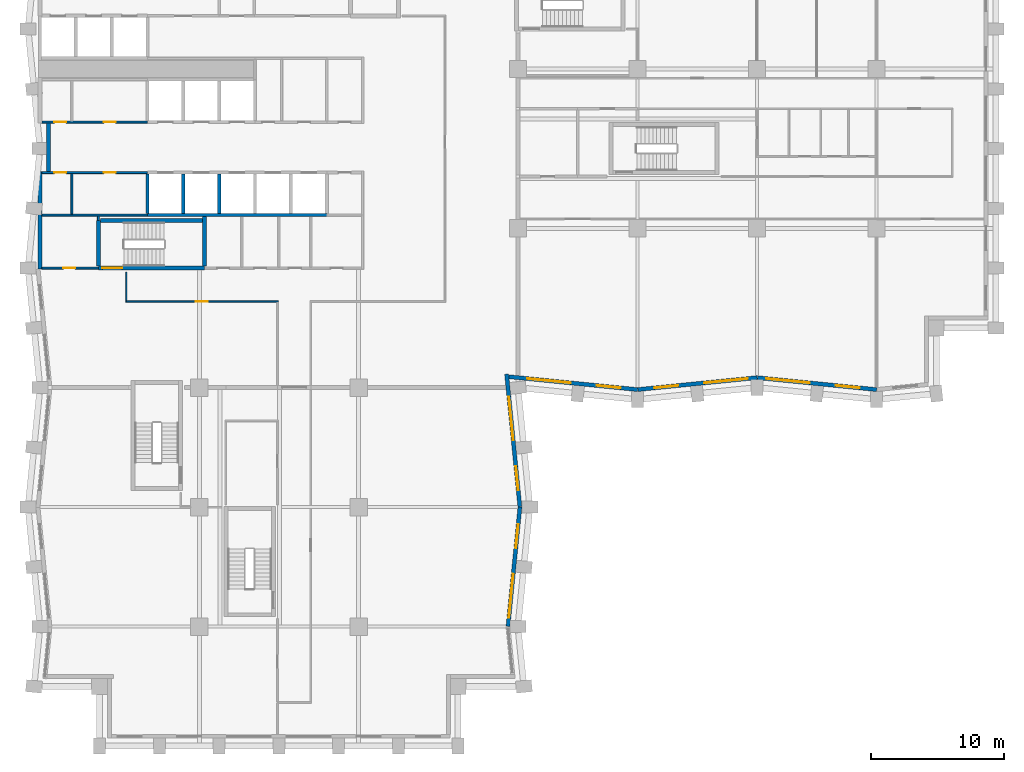
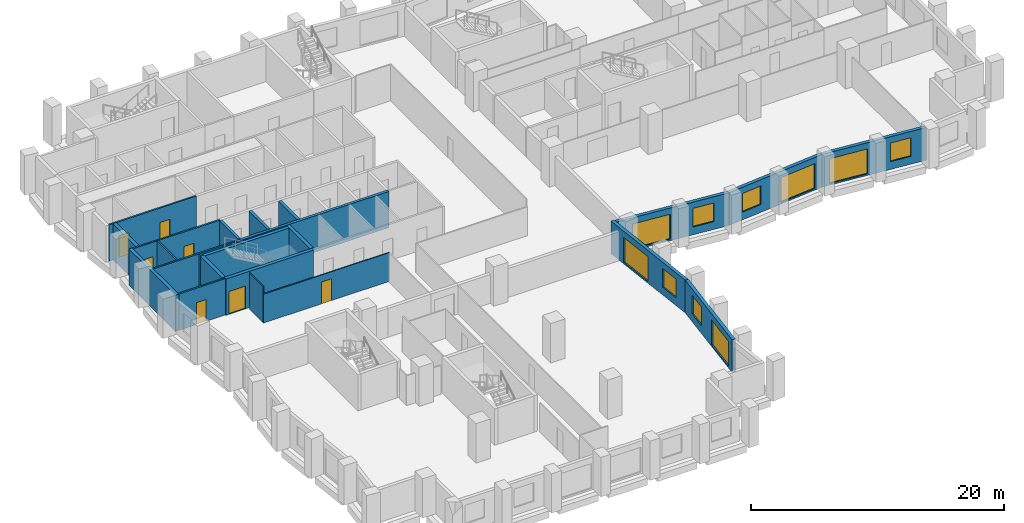
# One storey, part 4 of 11: 23 walls, 10 windows, 7 doors, 17 openings.
"""IFC4 building model written with IfcOpenShell, lengths in metres."""

from ifc_helpers import new_model, si_unit, direction, frame, frame_2d, origin, place, context, subcontext, project, spatial, rectangle, extrude, material, layer, layer_set, type_object, element, fill, save


model = new_model("IFC4")

# Units and contexts
model_context = context("Model", 3, precision=1e-05, world=origin(), true_north=direction((0.0, 1.0)))
body_context = subcontext(model_context, "Body", "Model", "MODEL_VIEW")
ifc_project = project(units=[si_unit("LENGTHUNIT", "METRE"), si_unit("AREAUNIT", "SQUARE_METRE"), si_unit("VOLUMEUNIT", "CUBIC_METRE"), si_unit("PLANEANGLEUNIT", "RADIAN"), si_unit("MASSUNIT", "GRAM", prefix="KILO")], contexts=[model_context])

# Site, building, storey
site_placement = place(None, origin())
site = spatial("IfcSite", under=ifc_project, at=site_placement, CompositionType="ELEMENT")
building_placement = place(site_placement, origin())
building = spatial("IfcBuilding", under=site, at=building_placement, Name="Brondeck Convention Tower", CompositionType="ELEMENT")
storey_placement = place(building_placement, frame((0.0, 0.0, 118.89990234375)))
storey = spatial("IfcBuildingStorey", under=building, at=storey_placement, Name="L28", CompositionType="ELEMENT", Elevation=118.89990234375)

# Walls
ifc_material_1 = material(Name="Concrete C70/85", Category="concrete")
ifc_layer_1 = layer(ifc_material_1, 0.300048828125)
ifc_layer_set_1 = layer_set([ifc_layer_1], Name="Core outer wall 300 Concrete C70/85")
wall_type_1 = type_object("IfcWallType", Name="Core outer wall 300 Concrete C70/85", PredefinedType="SHEAR", material=ifc_layer_set_1)
wall_1_placement = place(storey_placement, frame((0.0, 35.925048828125, 0.0), z_axis=(0.0, 0.0, 1.0), x_axis=(0.0, 1.0, 0.0)))
element("IfcWall", 1, at=wall_1_placement, inside=storey, type_object=wall_type_1, Name="L28 core wall", PredefinedType="SHEAR", context=body_context, shape_type="SweptSolid", body=[
    extrude(rectangle(XDim=7.349853515625, YDim=0.300048828125, at=frame_2d((3.6748046875, 0.0))), origin(), (0.0, 0.0, 1.0), 3.5),
])
wall_2_placement = place(storey_placement, frame((0.64990234375, 43.27490234375, 0.0), z_axis=(0.0, 0.0, 1.0), x_axis=(0.0, 1.0, 0.0)))
element("IfcWall", 2, at=wall_2_placement, inside=storey, type_object=wall_type_1, Name="L28 core wall", PredefinedType="SHEAR", context=body_context, shape_type="SweptSolid", body=[
    extrude(rectangle(XDim=3.650146484375, YDim=0.300048828125, at=frame_2d((1.8251953125, 0.0))), origin(), (0.0, 0.0, 1.0), 3.5),
])

# Wall, opening, door
ifc_material_2 = material(Name="Fire-rated gypsum board partition")
ifc_layer_2 = layer(ifc_material_2, 0.14990234375)
ifc_layer_set_2 = layer_set([ifc_layer_2], Name="Core partition 150 EI 60")
wall_type_2 = type_object("IfcWallType", Name="Core partition 150 EI 60", PredefinedType="PARTITIONING", material=ifc_layer_set_2)
wall_3_placement = place(storey_placement, frame((0.14990234375, 36.0, 0.0), z_axis=(0.0, 0.0, 1.0), x_axis=(1.0, 0.0, 0.0)))
wall_3 = element("IfcWall", 3, at=wall_3_placement, inside=storey, type_object=wall_type_2, Name="L28 core wall", PredefinedType="PARTITIONING", context=body_context, shape_type="SweptSolid", body=[
    extrude(rectangle(XDim=4.25, YDim=0.14990234375, at=frame_2d((2.125, 0.0))), origin(), (0.0, 0.0, 1.0), 3.5),
])
opening_1_placement = place(wall_3_placement, frame((1.60009765625, 0.0, 0.0)))
opening_1 = element("IfcOpeningElement", 4, at=opening_1_placement, cuts=wall_3, Name="Opening C16-07", PredefinedType="OPENING", context=body_context, shape_type="SweptSolid", body=[
    extrude(rectangle(XDim=0.89990234375, YDim=2.10009765625, at=frame_2d((0.449951171875, 1.050048828125))), frame((0.0, 0.0849609375, 0.0), z_axis=(0.0, -1.0, 0.0), x_axis=(1.0, 0.0, 0.0)), (0.0, 0.0, 1.0), 0.169921875),
])
ifc_material_3 = material(Name="Steel fire door", Category="steel")
door_type_1 = type_object("IfcDoorType", Name="Room door 900x2100 EI 60", OperationType="NOTDEFINED", PredefinedType="DOOR", material=ifc_material_3)
door_1_placement = place(opening_1_placement, origin())
door_1 = element("IfcDoor", 5, at=door_1_placement, inside=storey, type_object=door_type_1, Name="L28 Room door FRW-1", OperationType="SINGLE_SWING_LEFT", OverallHeight=2.10009765625, OverallWidth=0.89990234375, PredefinedType="DOOR", context=body_context, shape_type="SweptSolid", body=[
    extrude(rectangle(XDim=0.89990234375, YDim=2.10009765625, at=frame_2d((0.449951171875, 1.050048828125))), frame((0.0, 0.02490234375, 0.0), z_axis=(0.0, -1.0, 0.0), x_axis=(1.0, 0.0, 0.0)), (0.0, 0.0, 1.0), 0.050048828125),
])
fill(opening_1, door_1)

# Wall
wall_4_placement = place(storey_placement, frame((0.14990234375, 40.0, 0.0), z_axis=(0.0, 0.0, 1.0), x_axis=(1.0, 0.0, 0.0)))
element("IfcWall", 6, at=wall_4_placement, inside=storey, type_object=wall_type_2, Name="L28 core wall", PredefinedType="PARTITIONING", context=body_context, shape_type="SweptSolid", body=[
    extrude(rectangle(XDim=7.9501953125, YDim=0.14990234375, at=frame_2d((3.97509765625, 0.0))), origin(), (0.0, 0.0, 1.0), 3.5),
])

# Wall, openings, doors
wall_5_placement = place(storey_placement, frame((0.14990234375, 43.199951171875, 0.0), z_axis=(0.0, 0.0, 1.0), x_axis=(1.0, 0.0, 0.0)))
wall_5 = element("IfcWall", 7, at=wall_5_placement, inside=storey, type_object=wall_type_2, Name="L28 core wall", PredefinedType="PARTITIONING", context=body_context, shape_type="SweptSolid", body=[
    extrude(rectangle(XDim=7.9501953125, YDim=0.14990234375, at=frame_2d((3.97509765625, 0.0))), origin(), (0.0, 0.0, 1.0), 3.5),
])
opening_2_placement = place(wall_5_placement, frame((0.925048828125, 0.0, 0.0)))
opening_2 = element("IfcOpeningElement", 8, at=opening_2_placement, cuts=wall_5, Name="Opening C16-12", PredefinedType="OPENING", context=body_context, shape_type="SweptSolid", body=[
    extrude(rectangle(XDim=0.89990234375, YDim=2.10009765625, at=frame_2d((0.449951171875, 1.050048828125))), frame((0.0, 0.0849609375, 0.0), z_axis=(0.0, -1.0, 0.0), x_axis=(1.0, 0.0, 0.0)), (0.0, 0.0, 1.0), 0.169921875),
])
opening_3_placement = place(wall_5_placement, frame((4.64990234375, 0.0, 0.0)))
opening_3 = element("IfcOpeningElement", 9, at=opening_3_placement, cuts=wall_5, Name="Opening C16-13", PredefinedType="OPENING", context=body_context, shape_type="SweptSolid", body=[
    extrude(rectangle(XDim=0.89990234375, YDim=2.10009765625, at=frame_2d((0.449951171875, 1.050048828125))), frame((0.0, 0.0849609375, 0.0), z_axis=(0.0, -1.0, 0.0), x_axis=(1.0, 0.0, 0.0)), (0.0, 0.0, 1.0), 0.169921875),
])
door_2_placement = place(opening_2_placement, origin())
door_2 = element("IfcDoor", 10, at=door_2_placement, inside=storey, type_object=door_type_1, Name="L28 Room door FZ-S-0-1", OperationType="SINGLE_SWING_LEFT", OverallHeight=2.10009765625, OverallWidth=0.89990234375, PredefinedType="DOOR", context=body_context, shape_type="SweptSolid", body=[
    extrude(rectangle(XDim=0.89990234375, YDim=2.10009765625, at=frame_2d((0.449951171875, 1.050048828125))), frame((0.0, 0.02490234375, 0.0), z_axis=(0.0, -1.0, 0.0), x_axis=(1.0, 0.0, 0.0)), (0.0, 0.0, 1.0), 0.050048828125),
])
fill(opening_2, door_2)
door_3_placement = place(opening_3_placement, origin())
door_3 = element("IfcDoor", 11, at=door_3_placement, inside=storey, type_object=door_type_1, Name="L28 Room door FZ-S-0-2", OperationType="SINGLE_SWING_RIGHT", OverallHeight=2.10009765625, OverallWidth=0.89990234375, PredefinedType="DOOR", context=body_context, shape_type="SweptSolid", body=[
    extrude(rectangle(XDim=0.89990234375, YDim=2.10009765625, at=frame_2d((0.449951171875, 1.050048828125))), frame((0.0, 0.02490234375, 0.0), z_axis=(0.0, -1.0, 0.0), x_axis=(1.0, 0.0, 0.0)), (0.0, 0.0, 1.0), 0.050048828125),
])
fill(opening_3, door_3)

wall_6_placement = place(storey_placement, frame((0.14990234375, 47.0, 0.0), z_axis=(0.0, 0.0, 1.0), x_axis=(1.0, 0.0, 0.0)))
wall_6 = element("IfcWall", 12, at=wall_6_placement, inside=storey, type_object=wall_type_2, Name="L28 core wall", PredefinedType="PARTITIONING", context=body_context, shape_type="SweptSolid", body=[
    extrude(rectangle(XDim=7.9501953125, YDim=0.14990234375, at=frame_2d((3.97509765625, 0.0))), origin(), (0.0, 0.0, 1.0), 3.5),
])
opening_4_placement = place(wall_6_placement, frame((0.925048828125, 0.0, 0.0)))
opening_4 = element("IfcOpeningElement", 13, at=opening_4_placement, cuts=wall_6, Name="Opening C16-08", PredefinedType="OPENING", context=body_context, shape_type="SweptSolid", body=[
    extrude(rectangle(XDim=0.89990234375, YDim=2.10009765625, at=frame_2d((0.449951171875, 1.050048828125))), frame((0.0, 0.0849609375, 0.0), z_axis=(0.0, -1.0, 0.0), x_axis=(1.0, 0.0, 0.0)), (0.0, 0.0, 1.0), 0.169921875),
])
opening_5_placement = place(wall_6_placement, frame((4.64990234375, 0.0, 0.0)))
opening_5 = element("IfcOpeningElement", 14, at=opening_5_placement, cuts=wall_6, Name="Opening C16-09", PredefinedType="OPENING", context=body_context, shape_type="SweptSolid", body=[
    extrude(rectangle(XDim=0.89990234375, YDim=2.10009765625, at=frame_2d((0.449951171875, 1.050048828125))), frame((0.0, 0.0849609375, 0.0), z_axis=(0.0, -1.0, 0.0), x_axis=(1.0, 0.0, 0.0)), (0.0, 0.0, 1.0), 0.169921875),
])
door_4_placement = place(opening_4_placement, origin())
door_4 = element("IfcDoor", 15, at=door_4_placement, inside=storey, type_object=door_type_1, Name="L28 Room door FZ-N-0-1", OperationType="SINGLE_SWING_RIGHT", OverallHeight=2.10009765625, OverallWidth=0.89990234375, PredefinedType="DOOR", context=body_context, shape_type="SweptSolid", body=[
    extrude(rectangle(XDim=0.89990234375, YDim=2.10009765625, at=frame_2d((0.449951171875, 1.050048828125))), frame((0.0, 0.02490234375, 0.0), z_axis=(0.0, -1.0, 0.0), x_axis=(1.0, 0.0, 0.0)), (0.0, 0.0, 1.0), 0.050048828125),
])
fill(opening_4, door_4)
door_5_placement = place(opening_5_placement, origin())
door_5 = element("IfcDoor", 16, at=door_5_placement, inside=storey, type_object=door_type_1, Name="L28 Room door FZ-N-0-2", OperationType="SINGLE_SWING_LEFT", OverallHeight=2.10009765625, OverallWidth=0.89990234375, PredefinedType="DOOR", context=body_context, shape_type="SweptSolid", body=[
    extrude(rectangle(XDim=0.89990234375, YDim=2.10009765625, at=frame_2d((0.449951171875, 1.050048828125))), frame((0.0, 0.02490234375, 0.0), z_axis=(0.0, -1.0, 0.0), x_axis=(1.0, 0.0, 0.0)), (0.0, 0.0, 1.0), 0.050048828125),
])
fill(opening_5, door_5)

# Walls
wall_7_placement = place(storey_placement, frame((2.39990234375, 40.074951171875, 0.0), z_axis=(0.0, 0.0, 1.0), x_axis=(0.0, 1.0, 0.0)))
element("IfcWall", 17, at=wall_7_placement, inside=storey, type_object=wall_type_2, Name="L28 core wall", PredefinedType="PARTITIONING", context=body_context, shape_type="SweptSolid", body=[
    extrude(rectangle(XDim=3.050048828125, YDim=0.14990234375, at=frame_2d((1.52490234375, 0.0))), origin(), (0.0, 0.0, 1.0), 3.5),
])
wall_8_placement = place(storey_placement, frame((4.39990234375, 39.60009765625, 0.0), z_axis=(0.0, 0.0, 1.0), x_axis=(0.0, 1.0, 0.0)))
element("IfcWall", 18, at=wall_8_placement, inside=storey, type_object=wall_type_2, Name="L28 core wall", PredefinedType="PARTITIONING", context=body_context, shape_type="SweptSolid", body=[
    extrude(rectangle(XDim=0.324951171875, YDim=0.14990234375, at=frame_2d((0.16259765625, 0.0))), origin(), (0.0, 0.0, 1.0), 3.5),
])

# Wall, openings, windows
ifc_material_4 = material(Name="Precast concrete C50/60 bronze finish", Category="concrete")
ifc_layer_3 = layer(ifc_material_4, 0.070068359375, Name="Bronze precast facing")
ifc_material_5 = material(Name="Mineral wool")
ifc_layer_4 = layer(ifc_material_5, 0.159912109375, Name="Insulation")
ifc_material_6 = material(Name="Concrete C35/45", Category="concrete")
ifc_layer_5 = layer(ifc_material_6, 0.070068359375, Name="Backing")
ifc_layer_set_3 = layer_set([ifc_layer_3, ifc_layer_4, ifc_layer_5], Name="External infill wall, precast concrete C50/60 bronze facing")
wall_type_3 = type_object("IfcWallType", Name="External infill wall, precast concrete C50/60 bronze facing", PredefinedType="SOLIDWALL", material=ifc_layer_set_3)
wall_9_placement = place(storey_placement, frame((36.147705078125, 18.014892578125, 0.0), z_axis=(0.0, 0.0, 1.0), x_axis=(-0.099495688264, -0.995037993253, 0.0)))
wall_9 = element("IfcWall", 19, at=wall_9_placement, inside=storey, type_object=wall_type_3, Name="ENV-EW-L28-P0-B-E-03", PredefinedType="SOLIDWALL", context=body_context, shape_type="SweptSolid", body=[
    extrude(rectangle(XDim=9.030029296875, YDim=0.300048828125, at=frame_2d((4.51513671875, 0.0))), origin(), (0.0, 0.0, 1.0), 3.150146484375),
])
opening_6_placement = place(wall_9_placement, frame((1.30126953125, 0.0, 0.75)))
opening_6 = element("IfcOpeningElement", 20, at=opening_6_placement, cuts=wall_9, Name="Opening W10", PredefinedType="OPENING", context=body_context, shape_type="SweptSolid", body=[
    extrude(rectangle(XDim=1.800048828125, YDim=1.800048828125, at=frame_2d((0.89990234375, 0.89990234375))), frame((0.0, 0.159912109375, 0.0), z_axis=(0.0, -1.0, 0.0), x_axis=(1.0, 0.0, 0.0)), (0.0, 0.0, 1.0), 0.320068359375),
])
opening_7_placement = place(wall_9_placement, frame((5.073486328125, 0.0, 0.14990234375)))
opening_7 = element("IfcOpeningElement", 21, at=opening_7_placement, cuts=wall_9, Name="Opening W9", PredefinedType="OPENING", context=body_context, shape_type="SweptSolid", body=[
    extrude(rectangle(XDim=3.300048828125, YDim=2.39990234375, at=frame_2d((1.64990234375, 1.199951171875))), frame((0.0, 0.159912109375, 0.0), z_axis=(0.0, -1.0, 0.0), x_axis=(1.0, 0.0, 0.0)), (0.0, 0.0, 1.0), 0.320068359375),
])
ifc_material_7 = material(Name="Bronze tinted double glazing", Category="glass")
window_type_1 = type_object("IfcWindowType", Name="Glazed flute window, bronze tinted", PartitioningType="SINGLE_PANEL", PredefinedType="WINDOW", material=ifc_material_7)
window_1_placement = place(opening_7_placement, origin())
window_1 = element("IfcWindow", 22, at=window_1_placement, inside=storey, type_object=window_type_1, Name="ENV-WN-L28-P0-B-E-03", OverallHeight=2.39990234375, OverallWidth=3.300048828125, PartitioningType="SINGLE_PANEL", PredefinedType="WINDOW", context=body_context, shape_type="SweptSolid", body=[
    extrude(rectangle(XDim=3.300048828125, YDim=2.39990234375, at=frame_2d((1.64990234375, 1.199951171875))), frame((0.0, 0.030029296875, 0.0), z_axis=(0.0, -1.0, 0.0), x_axis=(1.0, 0.0, 0.0)), (0.0, 0.0, 1.0), 0.06005859375),
])
fill(opening_7, window_1)
window_type_2 = type_object("IfcWindowType", Name="Punched window, bronze tinted", PartitioningType="SINGLE_PANEL", PredefinedType="WINDOW", material=ifc_material_7)
window_2_placement = place(opening_6_placement, origin())
window_2 = element("IfcWindow", 23, at=window_2_placement, inside=storey, type_object=window_type_2, Name="ENV-WN-L28-P0-B-E-02", OverallHeight=1.800048828125, OverallWidth=1.800048828125, PartitioningType="SINGLE_PANEL", PredefinedType="WINDOW", context=body_context, shape_type="SweptSolid", body=[
    extrude(rectangle(XDim=1.800048828125, YDim=1.800048828125, at=frame_2d((0.89990234375, 0.89990234375))), frame((0.0, 0.030029296875, 0.0), z_axis=(0.0, -1.0, 0.0), x_axis=(1.0, 0.0, 0.0)), (0.0, 0.0, 1.0), 0.06005859375),
])
fill(opening_6, window_2)

wall_10_placement = place(storey_placement, frame((35.144287109375, 28.02001953125, 0.0), z_axis=(0.0, 0.0, 1.0), x_axis=(0.099503719021, -0.99503719021, 0.0)))
wall_10 = element("IfcWall", 24, at=wall_10_placement, inside=storey, type_object=wall_type_3, Name="ENV-EW-L28-P0-B-E-01", PredefinedType="SOLIDWALL", context=body_context, shape_type="SweptSolid", body=[
    extrude(rectangle(XDim=10.0400390625, YDim=0.300048828125, at=frame_2d((5.02001953125, 0.0))), origin(), (0.0, 0.0, 1.0), 3.150146484375),
])
opening_8_placement = place(wall_10_placement, frame((1.711181640625, 0.0, 0.14990234375)))
opening_8 = element("IfcOpeningElement", 25, at=opening_8_placement, cuts=wall_10, Name="Opening W9", PredefinedType="OPENING", context=body_context, shape_type="SweptSolid", body=[
    extrude(rectangle(XDim=3.300048828125, YDim=2.39990234375, at=frame_2d((1.64990234375, 1.199951171875))), frame((0.0, 0.159912109375, 0.0), z_axis=(0.0, -1.0, 0.0), x_axis=(1.0, 0.0, 0.0)), (0.0, 0.0, 1.0), 0.320068359375),
])
opening_9_placement = place(wall_10_placement, frame((6.983642578125, 0.0, 0.75)))
opening_9 = element("IfcOpeningElement", 26, at=opening_9_placement, cuts=wall_10, Name="Opening W10", PredefinedType="OPENING", context=body_context, shape_type="SweptSolid", body=[
    extrude(rectangle(XDim=1.800048828125, YDim=1.800048828125, at=frame_2d((0.89990234375, 0.89990234375))), frame((0.0, 0.159912109375, 0.0), z_axis=(0.0, -1.0, 0.0), x_axis=(1.0, 0.0, 0.0)), (0.0, 0.0, 1.0), 0.320068359375),
])
window_3_placement = place(opening_8_placement, origin())
window_3 = element("IfcWindow", 27, at=window_3_placement, inside=storey, type_object=window_type_1, Name="ENV-WN-L28-P0-B-E-00", OverallHeight=2.39990234375, OverallWidth=3.300048828125, PartitioningType="SINGLE_PANEL", PredefinedType="WINDOW", context=body_context, shape_type="SweptSolid", body=[
    extrude(rectangle(XDim=3.300048828125, YDim=2.39990234375, at=frame_2d((1.64990234375, 1.199951171875))), frame((0.0, 0.030029296875, 0.0), z_axis=(0.0, -1.0, 0.0), x_axis=(1.0, 0.0, 0.0)), (0.0, 0.0, 1.0), 0.06005859375),
])
fill(opening_8, window_3)
window_4_placement = place(opening_9_placement, origin())
window_4 = element("IfcWindow", 28, at=window_4_placement, inside=storey, type_object=window_type_2, Name="ENV-WN-L28-P0-B-E-01", OverallHeight=1.800048828125, OverallWidth=1.800048828125, PartitioningType="SINGLE_PANEL", PredefinedType="WINDOW", context=body_context, shape_type="SweptSolid", body=[
    extrude(rectangle(XDim=1.800048828125, YDim=1.800048828125, at=frame_2d((0.89990234375, 0.89990234375))), frame((0.0, 0.030029296875, 0.0), z_axis=(0.0, -1.0, 0.0), x_axis=(1.0, 0.0, 0.0)), (0.0, 0.0, 1.0), 0.06005859375),
])
fill(opening_9, window_4)

wall_11_placement = place(storey_placement, frame((45.014892578125, 26.852294921875, 0.0), z_axis=(0.0, 0.0, 1.0), x_axis=(-0.995037438546, 0.099501235631, 0.0)))
wall_11 = element("IfcWall", 29, at=wall_11_placement, inside=storey, type_object=wall_type_3, Name="ENV-EW-L28-P0-A-S-00", PredefinedType="SOLIDWALL", context=body_context, shape_type="SweptSolid", body=[
    extrude(rectangle(XDim=9.733642578125, YDim=0.300048828125, at=frame_2d((4.86669921875, 0.0))), origin(), (0.0, 0.0, 1.0), 3.150146484375),
])
opening_10_placement = place(wall_11_placement, frame((1.30126953125, 0.0, 0.75)))
opening_10 = element("IfcOpeningElement", 30, at=opening_10_placement, cuts=wall_11, Name="Opening W10", PredefinedType="OPENING", context=body_context, shape_type="SweptSolid", body=[
    extrude(rectangle(XDim=1.800048828125, YDim=1.800048828125, at=frame_2d((0.89990234375, 0.89990234375))), frame((0.0, 0.159912109375, 0.0), z_axis=(0.0, -1.0, 0.0), x_axis=(1.0, 0.0, 0.0)), (0.0, 0.0, 1.0), 0.320068359375),
])
opening_11_placement = place(wall_11_placement, frame((5.073486328125, 0.0, 0.14990234375)))
opening_11 = element("IfcOpeningElement", 31, at=opening_11_placement, cuts=wall_11, Name="Opening W9", PredefinedType="OPENING", context=body_context, shape_type="SweptSolid", body=[
    extrude(rectangle(XDim=3.300048828125, YDim=2.39990234375, at=frame_2d((1.64990234375, 1.199951171875))), frame((0.0, 0.159912109375, 0.0), z_axis=(0.0, -1.0, 0.0), x_axis=(1.0, 0.0, 0.0)), (0.0, 0.0, 1.0), 0.320068359375),
])
window_5_placement = place(opening_11_placement, origin())
window_5 = element("IfcWindow", 32, at=window_5_placement, inside=storey, type_object=window_type_1, Name="ENV-WN-L28-P0-A-S-00", OverallHeight=2.39990234375, OverallWidth=3.300048828125, PartitioningType="SINGLE_PANEL", PredefinedType="WINDOW", context=body_context, shape_type="SweptSolid", body=[
    extrude(rectangle(XDim=3.300048828125, YDim=2.39990234375, at=frame_2d((1.64990234375, 1.199951171875))), frame((0.0, 0.030029296875, 0.0), z_axis=(0.0, -1.0, 0.0), x_axis=(1.0, 0.0, 0.0)), (0.0, 0.0, 1.0), 0.06005859375),
])
fill(opening_11, window_5)
window_6_placement = place(opening_10_placement, origin())
window_6 = element("IfcWindow", 33, at=window_6_placement, inside=storey, type_object=window_type_2, Name="ENV-WN-L28-P0-A-S-01", OverallHeight=1.800048828125, OverallWidth=1.800048828125, PartitioningType="SINGLE_PANEL", PredefinedType="WINDOW", context=body_context, shape_type="SweptSolid", body=[
    extrude(rectangle(XDim=1.800048828125, YDim=1.800048828125, at=frame_2d((0.89990234375, 0.89990234375))), frame((0.0, 0.030029296875, 0.0), z_axis=(0.0, -1.0, 0.0), x_axis=(1.0, 0.0, 0.0)), (0.0, 0.0, 1.0), 0.06005859375),
])
fill(opening_10, window_6)

wall_12_placement = place(storey_placement, frame((54.014892578125, 27.755126953125, 0.0), z_axis=(0.0, 0.0, 1.0), x_axis=(-0.995037993253, -0.099495688264, 0.0)))
wall_12 = element("IfcWall", 34, at=wall_12_placement, inside=storey, type_object=wall_type_3, Name="ENV-EW-L28-P0-A-S-02", PredefinedType="SOLIDWALL", context=body_context, shape_type="SweptSolid", body=[
    extrude(rectangle(XDim=9.030029296875, YDim=0.300048828125, at=frame_2d((4.51513671875, 0.0))), origin(), (0.0, 0.0, 1.0), 3.150146484375),
])
opening_12_placement = place(wall_12_placement, frame((0.701171875, 0.0, 0.14990234375)))
opening_12 = element("IfcOpeningElement", 35, at=opening_12_placement, cuts=wall_12, Name="Opening W9", PredefinedType="OPENING", context=body_context, shape_type="SweptSolid", body=[
    extrude(rectangle(XDim=3.300048828125, YDim=2.39990234375, at=frame_2d((1.64990234375, 1.199951171875))), frame((0.0, 0.159912109375, 0.0), z_axis=(0.0, -1.0, 0.0), x_axis=(1.0, 0.0, 0.0)), (0.0, 0.0, 1.0), 0.320068359375),
])
opening_13_placement = place(wall_12_placement, frame((5.9736328125, 0.0, 0.75)))
opening_13 = element("IfcOpeningElement", 36, at=opening_13_placement, cuts=wall_12, Name="Opening W10", PredefinedType="OPENING", context=body_context, shape_type="SweptSolid", body=[
    extrude(rectangle(XDim=1.800048828125, YDim=1.800048828125, at=frame_2d((0.89990234375, 0.89990234375))), frame((0.0, 0.159912109375, 0.0), z_axis=(0.0, -1.0, 0.0), x_axis=(1.0, 0.0, 0.0)), (0.0, 0.0, 1.0), 0.320068359375),
])
window_7_placement = place(opening_12_placement, origin())
window_7 = element("IfcWindow", 37, at=window_7_placement, inside=storey, type_object=window_type_1, Name="ENV-WN-L28-P0-A-S-03", OverallHeight=2.39990234375, OverallWidth=3.300048828125, PartitioningType="SINGLE_PANEL", PredefinedType="WINDOW", context=body_context, shape_type="SweptSolid", body=[
    extrude(rectangle(XDim=3.300048828125, YDim=2.39990234375, at=frame_2d((1.64990234375, 1.199951171875))), frame((0.0, 0.030029296875, 0.0), z_axis=(0.0, -1.0, 0.0), x_axis=(1.0, 0.0, 0.0)), (0.0, 0.0, 1.0), 0.06005859375),
])
fill(opening_12, window_7)
window_8_placement = place(opening_13_placement, origin())
window_8 = element("IfcWindow", 38, at=window_8_placement, inside=storey, type_object=window_type_2, Name="ENV-WN-L28-P0-A-S-02", OverallHeight=1.800048828125, OverallWidth=1.800048828125, PartitioningType="SINGLE_PANEL", PredefinedType="WINDOW", context=body_context, shape_type="SweptSolid", body=[
    extrude(rectangle(XDim=1.800048828125, YDim=1.800048828125, at=frame_2d((0.89990234375, 0.89990234375))), frame((0.0, 0.030029296875, 0.0), z_axis=(0.0, -1.0, 0.0), x_axis=(1.0, 0.0, 0.0)), (0.0, 0.0, 1.0), 0.06005859375),
])
fill(opening_13, window_8)

wall_13_placement = place(storey_placement, frame((63.014892578125, 26.852294921875, 0.0), z_axis=(0.0, 0.0, 1.0), x_axis=(-0.995037993253, 0.099495688264, 0.0)))
wall_13 = element("IfcWall", 39, at=wall_13_placement, inside=storey, type_object=wall_type_3, Name="ENV-EW-L28-P0-A-S-04", PredefinedType="SOLIDWALL", context=body_context, shape_type="SweptSolid", body=[
    extrude(rectangle(XDim=9.030029296875, YDim=0.300048828125, at=frame_2d((4.51513671875, 0.0))), origin(), (0.0, 0.0, 1.0), 3.150146484375),
])
opening_14_placement = place(wall_13_placement, frame((1.30126953125, 0.0, 0.75)))
opening_14 = element("IfcOpeningElement", 40, at=opening_14_placement, cuts=wall_13, Name="Opening W10", PredefinedType="OPENING", context=body_context, shape_type="SweptSolid", body=[
    extrude(rectangle(XDim=1.800048828125, YDim=1.800048828125, at=frame_2d((0.89990234375, 0.89990234375))), frame((0.0, 0.159912109375, 0.0), z_axis=(0.0, -1.0, 0.0), x_axis=(1.0, 0.0, 0.0)), (0.0, 0.0, 1.0), 0.320068359375),
])
opening_15_placement = place(wall_13_placement, frame((5.073486328125, 0.0, 0.14990234375)))
opening_15 = element("IfcOpeningElement", 41, at=opening_15_placement, cuts=wall_13, Name="Opening W9", PredefinedType="OPENING", context=body_context, shape_type="SweptSolid", body=[
    extrude(rectangle(XDim=3.300048828125, YDim=2.39990234375, at=frame_2d((1.64990234375, 1.199951171875))), frame((0.0, 0.159912109375, 0.0), z_axis=(0.0, -1.0, 0.0), x_axis=(1.0, 0.0, 0.0)), (0.0, 0.0, 1.0), 0.320068359375),
])
window_9_placement = place(opening_15_placement, origin())
window_9 = element("IfcWindow", 42, at=window_9_placement, inside=storey, type_object=window_type_1, Name="ENV-WN-L28-P0-A-S-04", OverallHeight=2.39990234375, OverallWidth=3.300048828125, PartitioningType="SINGLE_PANEL", PredefinedType="WINDOW", context=body_context, shape_type="SweptSolid", body=[
    extrude(rectangle(XDim=3.300048828125, YDim=2.39990234375, at=frame_2d((1.64990234375, 1.199951171875))), frame((0.0, 0.030029296875, 0.0), z_axis=(0.0, -1.0, 0.0), x_axis=(1.0, 0.0, 0.0)), (0.0, 0.0, 1.0), 0.06005859375),
])
fill(opening_15, window_9)
window_10_placement = place(opening_14_placement, origin())
window_10 = element("IfcWindow", 43, at=window_10_placement, inside=storey, type_object=window_type_2, Name="ENV-WN-L28-P0-A-S-05", OverallHeight=1.800048828125, OverallWidth=1.800048828125, PartitioningType="SINGLE_PANEL", PredefinedType="WINDOW", context=body_context, shape_type="SweptSolid", body=[
    extrude(rectangle(XDim=1.800048828125, YDim=1.800048828125, at=frame_2d((0.89990234375, 0.89990234375))), frame((0.0, 0.030029296875, 0.0), z_axis=(0.0, -1.0, 0.0), x_axis=(1.0, 0.0, 0.0)), (0.0, 0.0, 1.0), 0.06005859375),
])
fill(opening_14, window_10)

# Walls
ifc_layer_6 = layer(ifc_material_1, 0.25)
ifc_layer_set_4 = layer_set([ifc_layer_6], Name="Lift shaft wall 250 Concrete C70/85")
wall_type_4 = type_object("IfcWallType", Name="Lift shaft wall 250 Concrete C70/85", PredefinedType="SHEAR", material=ifc_layer_set_4)
wall_14_placement = place(storey_placement, frame((8.10009765625, 40.0, 0.0), z_axis=(0.0, 0.0, 1.0), x_axis=(1.0, 0.0, 0.0)))
element("IfcWall", 44, at=wall_14_placement, inside=storey, type_object=wall_type_4, Name="L28 core wall", PredefinedType="SHEAR", context=body_context, shape_type="SweptSolid", body=[
    extrude(rectangle(XDim=13.5, YDim=0.25, at=frame_2d((6.75, 0.0))), origin(), (0.0, 0.0, 1.0), 3.5),
])
for number, where, z_axis, x_axis, name in (
    (45, (8.10009765625, 40.125, 0.0), (0.0, 0.0, 1.0), (0.0, 1.0, 0.0), "L28 core wall"),
    (46, (10.800048828125, 40.125, 0.0), (0.0, 0.0, 1.0), (0.0, 1.0, 0.0), "L28 core wall"),
    (47, (13.5, 40.125, 0.0), (0.0, 0.0, 1.0), (0.0, 1.0, 0.0), "L28 core wall"),
):
    element("IfcWall", number, at=place(storey_placement, frame(where, z_axis=z_axis, x_axis=x_axis)), inside=storey, type_object=wall_type_4, Name=name, PredefinedType="SHEAR", context=body_context, shape_type="SweptSolid", body=[
        extrude(rectangle(XDim=2.949951171875, YDim=0.25, at=frame_2d((1.47509765625, 0.0))), origin(), (0.0, 0.0, 1.0), 3.5),
    ])

# Wall, opening, door
ifc_material_8 = material(Name="Gypsum board partition on steel studs", Category="steel")
ifc_layer_7 = layer(ifc_material_8, 0.10009765625)
ifc_layer_set_5 = layer_set([ifc_layer_7], Name="Room partition 100")
wall_type_5 = type_object("IfcWallType", Name="Room partition 100", PredefinedType="PARTITIONING", material=ifc_layer_set_5)
wall_15_placement = place(storey_placement, frame((17.949951171875, 33.5, 0.0), z_axis=(0.0, 0.0, 1.0), x_axis=(-1.0, 0.0, 0.0)))
wall_15 = element("IfcWall", 48, at=wall_15_placement, inside=storey, type_object=wall_type_5, Name="FLR-L28-W021", PredefinedType="PARTITIONING", context=body_context, shape_type="SweptSolid", body=[
    extrude(rectangle(XDim=11.5, YDim=0.10009765625, at=frame_2d((5.75, 0.0))), origin(), (0.0, 0.0, 1.0), 2.780029296875),
])
opening_16_placement = place(wall_15_placement, frame((5.300048828125, 0.0, 0.0)))
opening_16 = element("IfcOpeningElement", 49, at=opening_16_placement, cuts=wall_15, Name="Opening OF-C-018", PredefinedType="OPENING", context=body_context, shape_type="SweptSolid", body=[
    extrude(rectangle(XDim=0.89990234375, YDim=2.10009765625, at=frame_2d((0.449951171875, 1.050048828125))), frame((0.0, 0.06005859375, 0.0), z_axis=(0.0, -1.0, 0.0), x_axis=(1.0, 0.0, 0.0)), (0.0, 0.0, 1.0), 0.1201171875),
])
ifc_material_9 = material(Name="Solid timber door leaf", Category="wood")
door_type_2 = type_object("IfcDoorType", Name="Single door 900", OperationType="NOTDEFINED", PredefinedType="DOOR", material=ifc_material_9)
door_6_placement = place(opening_16_placement, origin())
door_6 = element("IfcDoor", 50, at=door_6_placement, inside=storey, type_object=door_type_2, Name="Door OF-C-018", OperationType="SINGLE_SWING_LEFT", OverallHeight=2.10009765625, OverallWidth=0.89990234375, PredefinedType="DOOR", context=body_context, shape_type="SweptSolid", body=[
    extrude(rectangle(XDim=0.89990234375, YDim=2.10009765625, at=frame_2d((0.449951171875, 1.050048828125))), frame((0.0, 0.02490234375, 0.0), z_axis=(0.0, -1.0, 0.0), x_axis=(1.0, 0.0, 0.0)), (0.0, 0.0, 1.0), 0.050048828125),
])
fill(opening_16, door_6)

# Wall
wall_16_placement = place(storey_placement, frame((6.5, 33.550048828125, 0.0), z_axis=(0.0, 0.0, 1.0), x_axis=(0.0, 1.0, 0.0)))
element("IfcWall", 51, at=wall_16_placement, inside=storey, type_object=wall_type_5, Name="FLR-L28-W023", PredefinedType="PARTITIONING", context=body_context, shape_type="SweptSolid", body=[
    extrude(rectangle(XDim=2.14990234375, YDim=0.10009765625, at=frame_2d((1.074951171875, 0.0))), origin(), (0.0, 0.0, 1.0), 3.47998046875),
])

# Wall, opening, door
ifc_layer_8 = layer(ifc_material_1, 0.300048828125)
ifc_layer_set_6 = layer_set([ifc_layer_8], Name="Stair enclosure wall 300 Concrete C70/85")
wall_type_6 = type_object("IfcWallType", Name="Stair enclosure wall 300 Concrete C70/85", PredefinedType="SHEAR", material=ifc_layer_set_6)
wall_17_placement = place(storey_placement, frame((4.39990234375, 36.0, 0.0), z_axis=(0.0, 0.0, 1.0), x_axis=(1.0, 0.0, 0.0)))
wall_17 = element("IfcWall", 52, at=wall_17_placement, inside=storey, type_object=wall_type_6, Name="L28 core wall", PredefinedType="SHEAR", context=body_context, shape_type="SweptSolid", body=[
    extrude(rectangle(XDim=8.0, YDim=0.300048828125, at=frame_2d((4.0, 0.0))), origin(), (0.0, 0.0, 1.0), 3.5),
])
opening_17_placement = place(wall_17_placement, frame((0.300048828125, 0.0, 0.0)))
opening_17 = element("IfcOpeningElement", 53, at=opening_17_placement, cuts=wall_17, Name="Opening C16-17", PredefinedType="OPENING", context=body_context, shape_type="SweptSolid", body=[
    extrude(rectangle(XDim=1.5, YDim=2.199951171875, at=frame_2d((0.75, 1.10009765625))), frame((0.0, 0.159912109375, 0.0), z_axis=(0.0, -1.0, 0.0), x_axis=(1.0, 0.0, 0.0)), (0.0, 0.0, 1.0), 0.320068359375),
])
door_type_3 = type_object("IfcDoorType", Name="Stair door 1500x2200 EI 90", OperationType="NOTDEFINED", PredefinedType="DOOR", material=ifc_material_3)
door_7_placement = place(opening_17_placement, origin())
door_7 = element("IfcDoor", 54, at=door_7_placement, inside=storey, type_object=door_type_3, Name="L28 Stair door ST-1", OperationType="SINGLE_SWING_RIGHT", OverallHeight=2.199951171875, OverallWidth=1.5, PredefinedType="DOOR", context=body_context, shape_type="SweptSolid", body=[
    extrude(rectangle(XDim=1.5, YDim=2.199951171875, at=frame_2d((0.75, 1.10009765625))), frame((0.0, 0.02490234375, 0.0), z_axis=(0.0, -1.0, 0.0), x_axis=(1.0, 0.0, 0.0)), (0.0, 0.0, 1.0), 0.050048828125),
])
fill(opening_17, door_7)

# Walls
wall_18_placement = place(storey_placement, frame((4.550048828125, 39.60009765625, 0.0), z_axis=(0.0, 0.0, 1.0), x_axis=(1.0, 0.0, 0.0)))
element("IfcWall", 55, at=wall_18_placement, inside=storey, type_object=wall_type_6, Name="L28 core wall", PredefinedType="SHEAR", context=body_context, shape_type="SweptSolid", body=[
    extrude(rectangle(XDim=7.699951171875, YDim=0.300048828125, at=frame_2d((3.85009765625, 0.0))), origin(), (0.0, 0.0, 1.0), 3.5),
])
wall_19_placement = place(storey_placement, frame((4.39990234375, 36.14990234375, 0.0), z_axis=(0.0, 0.0, 1.0), x_axis=(0.0, 1.0, 0.0)))
element("IfcWall", 56, at=wall_19_placement, inside=storey, type_object=wall_type_6, Name="L28 core wall", PredefinedType="SHEAR", context=body_context, shape_type="SweptSolid", body=[
    extrude(rectangle(XDim=3.4501953125, YDim=0.300048828125, at=frame_2d((1.72509765625, 0.0))), origin(), (0.0, 0.0, 1.0), 3.5),
])
wall_20_placement = place(storey_placement, frame((12.39990234375, 36.14990234375, 0.0), z_axis=(0.0, 0.0, 1.0), x_axis=(0.0, 1.0, 0.0)))
element("IfcWall", 57, at=wall_20_placement, inside=storey, type_object=wall_type_6, Name="L28 core wall", PredefinedType="SHEAR", context=body_context, shape_type="SweptSolid", body=[
    extrude(rectangle(XDim=3.72509765625, YDim=0.300048828125, at=frame_2d((1.862548828125, 0.0))), origin(), (0.0, 0.0, 1.0), 3.5),
])

save(model, "model.ifc")
